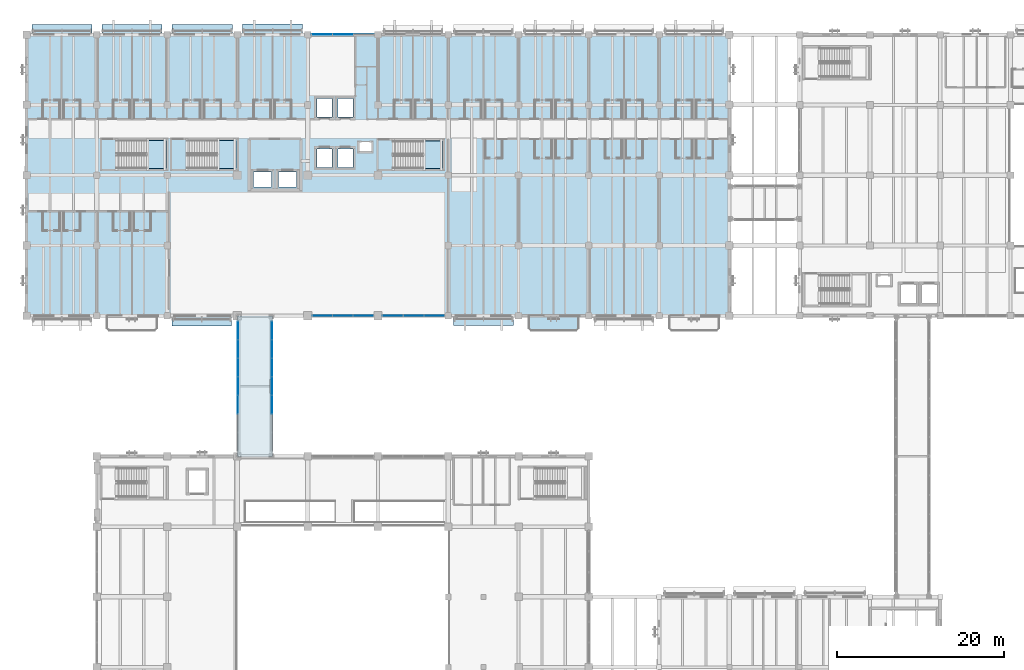
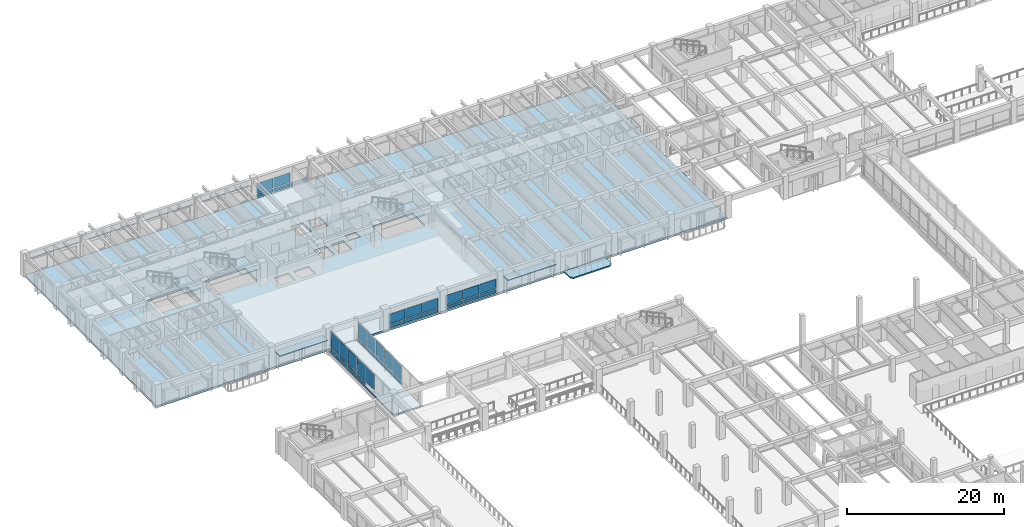
# One storey, part 54 of 118: 42 plates, 6 slabs, 14 elements without a shape of their own.
"""IFC4 building model written with IfcOpenShell, lengths in metres."""

from ifc_helpers import new_model, si_unit, direction, frame, origin, origin_2d, place, context, subcontext, project, spatial, polyline, rectangle, outline, extrude, material, layer, layer_set, type_object, element, aggregate, save


model = new_model("IFC4")

# Units and contexts
model_context = context("Model", 3, precision=1e-05, world=origin(), true_north=direction((0.0, 1.0)))
body_context = subcontext(model_context, "Body", "Model", "MODEL_VIEW")
ifc_project = project(units=[si_unit("LENGTHUNIT", "METRE"), si_unit("AREAUNIT", "SQUARE_METRE"), si_unit("VOLUMEUNIT", "CUBIC_METRE"), si_unit("PLANEANGLEUNIT", "RADIAN"), si_unit("MASSUNIT", "GRAM", prefix="KILO")], contexts=[model_context])

# Site, building, storey
site_placement = place(None, origin())
site = spatial("IfcSite", under=ifc_project, at=site_placement, CompositionType="ELEMENT")
building_placement = place(site_placement, origin())
building = spatial("IfcBuilding", under=site, at=building_placement, Name="Cumbredor Promenade Congress Hotel", CompositionType="ELEMENT")
storey_placement = place(building_placement, frame((0.0, 0.0, 3.919921875)))
storey = spatial("IfcBuildingStorey", under=building, at=storey_placement, Name="L01", CompositionType="ELEMENT", Elevation=3.919921875)

# Slab
ifc_material_1 = material(Name="Concrete C40/50", Category="concrete")
ifc_layer_1 = layer(ifc_material_1, 0.215087890625, Name="Concrete C40/50", Category="concrete")
ifc_layer_set_1 = layer_set([ifc_layer_1], Name="Concrete C40/50")
slab_type_1 = type_object("IfcSlabType", Name="Cantilevered Guestroom Balcony Slab 215mm", PredefinedType="FLOOR", material=ifc_layer_set_1)
slab_1_placement = place(storey_placement, frame((0.0, 0.0, -0.21484375)))
element("IfcSlab", 1, at=slab_1_placement, inside=storey, type_object=slab_type_1, Name="L01 Cantilevered Guestroom Veranda Balcony 002", PredefinedType="FLOOR", context=body_context, shape_type="SweptSolid", body=[
    extrude(outline(polyline([(60.300048828125, 82.14990234375), (65.699951171875, 82.14990234375), (66.050048828125, 82.5), (66.050048828125, 84.0), (59.949951171875, 84.0), (59.949951171875, 82.5), (60.300048828125, 82.14990234375)])), origin(), (0.0, 0.0, 1.0), 0.21484375),
])

# Stair, slab
stair_type_1 = type_object("IfcStairType", Name="Protected Dog-Leg Exit Stair ST-T2 1600mm", PredefinedType="HALF_TURN_STAIR", material=ifc_material_1)
stair_1_placement = place(storey_placement, origin())
stair_1 = element("IfcStair", 2, at=stair_1_placement, inside=storey, type_object=stair_type_1, Name="L01 Protected Exit Stair ST-01", PredefinedType="HALF_TURN_STAIR")
ifc_layer_2 = layer(ifc_material_1, 0.199951171875, Name="Concrete C40/50", Category="concrete")
ifc_layer_set_2 = layer_set([ifc_layer_2], Name="Concrete C40/50")
slab_type_2 = type_object("IfcSlabType", Name="Concrete Stair Landing Slab 200mm", PredefinedType="LANDING", material=ifc_layer_set_2)
slab_2_placement = place(storey_placement, frame((0.0, 0.0, 1.6201171875)))
slab_2 = element("IfcSlab", 3, at=slab_2_placement, type_object=slab_type_2, Name="ST-01 landing 1", PredefinedType="LANDING", context=body_context, shape_type="SweptSolid", body=[
    extrude(outline(polyline([(14.35009765625, 101.6201171875), (16.64990234375, 101.6201171875), (16.64990234375, 104.969970703125), (14.35009765625, 104.969970703125), (14.35009765625, 101.6201171875)])), origin(), (0.0, 0.0, 1.0), 0.199951171875),
])
aggregate(stair_1, [slab_2])

stair_2_placement = place(storey_placement, origin())
stair_2 = element("IfcStair", 4, at=stair_2_placement, inside=storey, type_object=stair_type_1, Name="L01 Protected Exit Stair ST-02", PredefinedType="HALF_TURN_STAIR")
slab_3_placement = place(storey_placement, frame((0.0, 0.0, 1.6201171875)))
slab_3 = element("IfcSlab", 5, at=slab_3_placement, type_object=slab_type_2, Name="ST-02 landing 1", PredefinedType="LANDING", context=body_context, shape_type="SweptSolid", body=[
    extrude(outline(polyline([(22.75, 101.6201171875), (25.050048828125, 101.6201171875), (25.050048828125, 104.969970703125), (22.75, 104.969970703125), (22.75, 101.6201171875)])), origin(), (0.0, 0.0, 1.0), 0.199951171875),
])
aggregate(stair_2, [slab_3])

stair_type_2 = type_object("IfcStairType", Name="Protected Dog-Leg Exit Stair ST-T1 1550mm", PredefinedType="HALF_TURN_STAIR", material=ifc_material_1)
stair_3_placement = place(storey_placement, origin())
stair_3 = element("IfcStair", 6, at=stair_3_placement, inside=storey, type_object=stair_type_2, Name="L01 Protected Exit Stair ST-03", PredefinedType="HALF_TURN_STAIR")
slab_4_placement = place(storey_placement, frame((0.0, 0.0, 1.6201171875)))
slab_4 = element("IfcSlab", 7, at=slab_4_placement, type_object=slab_type_2, Name="ST-03 landing 1", PredefinedType="LANDING", context=body_context, shape_type="SweptSolid", body=[
    extrude(outline(polyline([(47.39990234375, 101.6201171875), (49.699951171875, 101.6201171875), (49.699951171875, 104.8701171875), (47.39990234375, 104.8701171875), (47.39990234375, 101.6201171875)])), origin(), (0.0, 0.0, 1.0), 0.199951171875),
])
aggregate(stair_3, [slab_4])

# Curtain wall, plates
ifc_material_2 = material(Name="Thermally broken anodized aluminium and low-E glass", Category="aluminium")
curtain_wall_type_1 = type_object("IfcCurtainWallType", Name="Unitised Bridge Glazing Screen CW-05", PredefinedType="NOTDEFINED", material=ifc_material_2)
curtain_wall_1_placement = place(storey_placement, origin())
curtain_wall_1 = element("IfcCurtainWall", 8, at=curtain_wall_1_placement, inside=storey, type_object=curtain_wall_type_1, Name="L01 West Congress-to-Hotel Glazed Bridge West Glazing Screen", PredefinedType="NOTDEFINED")
ifc_material_3 = material(Name="Laminated low-E solar-control glass", Category="glass")
ifc_layer_3 = layer(ifc_material_3, 0.030029296875, Name="Laminated low-E solar-control glass", Category="glass")
ifc_layer_set_3 = layer_set([ifc_layer_3], Name="Laminated low-E solar-control glass")
plate_type_1 = type_object("IfcPlateType", Name="Glazed Bridge Panel PNL-04", PredefinedType="CURTAIN_PANEL", material=ifc_layer_set_3)
plate_1_placement = place(storey_placement, frame((25.280029296875, 73.388671875, 0.78515625), z_axis=(0.0, 0.0, 1.0), x_axis=(0.0, 1.0, 0.0)))
plate_1 = element("IfcPlate", 9, at=plate_1_placement, type_object=plate_type_1, Name="L01 West Congress-to-Hotel Glazed Bridge West Glazing Screen Glazing Panel 3.2", PredefinedType="CURTAIN_PANEL", context=body_context, shape_type="SweptSolid", body=[
    extrude(rectangle(XDim=2.146484375, YDim=0.030029296875, at=origin_2d()), origin(), (0.0, 0.0, 1.0), 2.340087890625),
])
plate_2_placement = place(storey_placement, frame((25.280029296875, 75.60009765625, 0.78515625), z_axis=(0.0, 0.0, 1.0), x_axis=(0.0, 1.0, 0.0)))
plate_2 = element("IfcPlate", 10, at=plate_2_placement, type_object=plate_type_1, Name="L01 West Congress-to-Hotel Glazed Bridge West Glazing Screen Glazing Panel 4.2", PredefinedType="CURTAIN_PANEL", context=body_context, shape_type="SweptSolid", body=[
    extrude(rectangle(XDim=2.146484375, YDim=0.030029296875, at=origin_2d()), origin(), (0.0, 0.0, 1.0), 2.340087890625),
])
plate_3_placement = place(storey_placement, frame((25.280029296875, 77.811279296875, 0.78515625), z_axis=(0.0, 0.0, 1.0), x_axis=(0.0, 1.0, 0.0)))
plate_3 = element("IfcPlate", 11, at=plate_3_placement, type_object=plate_type_1, Name="L01 West Congress-to-Hotel Glazed Bridge West Glazing Screen Glazing Panel 5.2", PredefinedType="CURTAIN_PANEL", context=body_context, shape_type="SweptSolid", body=[
    extrude(rectangle(XDim=2.146484375, YDim=0.030029296875, at=origin_2d()), origin(), (0.0, 0.0, 1.0), 2.340087890625),
])
plate_4_placement = place(storey_placement, frame((25.280029296875, 80.02294921875, 0.78515625), z_axis=(0.0, 0.0, 1.0), x_axis=(0.0, 1.0, 0.0)))
plate_4 = element("IfcPlate", 12, at=plate_4_placement, type_object=plate_type_1, Name="L01 West Congress-to-Hotel Glazed Bridge West Glazing Screen Glazing Panel 6.2", PredefinedType="CURTAIN_PANEL", context=body_context, shape_type="SweptSolid", body=[
    extrude(rectangle(XDim=2.146484375, YDim=0.030029296875, at=origin_2d()), origin(), (0.0, 0.0, 1.0), 2.340087890625),
])
plate_5_placement = place(storey_placement, frame((25.280029296875, 82.234375, 0.78515625), z_axis=(0.0, 0.0, 1.0), x_axis=(0.0, 1.0, 0.0)))
plate_5 = element("IfcPlate", 13, at=plate_5_placement, type_object=plate_type_1, Name="L01 West Congress-to-Hotel Glazed Bridge West Glazing Screen Glazing Panel 7.2", PredefinedType="CURTAIN_PANEL", context=body_context, shape_type="SweptSolid", body=[
    extrude(rectangle(XDim=2.146484375, YDim=0.030029296875, at=origin_2d()), origin(), (0.0, 0.0, 1.0), 2.340087890625),
])

curtain_wall_2_placement = place(storey_placement, origin())
curtain_wall_2 = element("IfcCurtainWall", 14, at=curtain_wall_2_placement, inside=storey, type_object=curtain_wall_type_1, Name="L01 West Congress-to-Hotel Glazed Bridge East Glazing Screen", PredefinedType="NOTDEFINED")
plate_6_placement = place(storey_placement, frame((29.320068359375, 73.388671875, 0.78515625), z_axis=(0.0, 0.0, 1.0), x_axis=(0.0, 1.0, 0.0)))
plate_6 = element("IfcPlate", 15, at=plate_6_placement, type_object=plate_type_1, Name="L01 West Congress-to-Hotel Glazed Bridge East Glazing Screen Glazing Panel 3.2", PredefinedType="CURTAIN_PANEL", context=body_context, shape_type="SweptSolid", body=[
    extrude(rectangle(XDim=2.146484375, YDim=0.030029296875, at=origin_2d()), origin(), (0.0, 0.0, 1.0), 2.340087890625),
])
plate_7_placement = place(storey_placement, frame((29.320068359375, 75.60009765625, 0.78515625), z_axis=(0.0, 0.0, 1.0), x_axis=(0.0, 1.0, 0.0)))
plate_7 = element("IfcPlate", 16, at=plate_7_placement, type_object=plate_type_1, Name="L01 West Congress-to-Hotel Glazed Bridge East Glazing Screen Glazing Panel 4.2", PredefinedType="CURTAIN_PANEL", context=body_context, shape_type="SweptSolid", body=[
    extrude(rectangle(XDim=2.146484375, YDim=0.030029296875, at=origin_2d()), origin(), (0.0, 0.0, 1.0), 2.340087890625),
])
plate_8_placement = place(storey_placement, frame((29.320068359375, 77.811279296875, 0.78515625), z_axis=(0.0, 0.0, 1.0), x_axis=(0.0, 1.0, 0.0)))
plate_8 = element("IfcPlate", 17, at=plate_8_placement, type_object=plate_type_1, Name="L01 West Congress-to-Hotel Glazed Bridge East Glazing Screen Glazing Panel 5.2", PredefinedType="CURTAIN_PANEL", context=body_context, shape_type="SweptSolid", body=[
    extrude(rectangle(XDim=2.146484375, YDim=0.030029296875, at=origin_2d()), origin(), (0.0, 0.0, 1.0), 2.340087890625),
])
plate_9_placement = place(storey_placement, frame((29.320068359375, 80.02294921875, 0.78515625), z_axis=(0.0, 0.0, 1.0), x_axis=(0.0, 1.0, 0.0)))
plate_9 = element("IfcPlate", 18, at=plate_9_placement, type_object=plate_type_1, Name="L01 West Congress-to-Hotel Glazed Bridge East Glazing Screen Glazing Panel 6.2", PredefinedType="CURTAIN_PANEL", context=body_context, shape_type="SweptSolid", body=[
    extrude(rectangle(XDim=2.146484375, YDim=0.030029296875, at=origin_2d()), origin(), (0.0, 0.0, 1.0), 2.340087890625),
])
plate_10_placement = place(storey_placement, frame((29.320068359375, 82.234375, 0.78515625), z_axis=(0.0, 0.0, 1.0), x_axis=(0.0, 1.0, 0.0)))
plate_10 = element("IfcPlate", 19, at=plate_10_placement, type_object=plate_type_1, Name="L01 West Congress-to-Hotel Glazed Bridge East Glazing Screen Glazing Panel 7.2", PredefinedType="CURTAIN_PANEL", context=body_context, shape_type="SweptSolid", body=[
    extrude(rectangle(XDim=2.146484375, YDim=0.030029296875, at=origin_2d()), origin(), (0.0, 0.0, 1.0), 2.340087890625),
])

curtain_wall_type_2 = type_object("IfcCurtainWallType", Name="Unitised Bronze Curtain Wall CW-01", PredefinedType="NOTDEFINED", material=ifc_material_2)
curtain_wall_3_placement = place(storey_placement, origin())
curtain_wall_3 = element("IfcCurtainWall", 20, at=curtain_wall_3_placement, inside=storey, type_object=curtain_wall_type_2, Name="L01 Stepped Congress Hotel Wing North Curtain Wall 5", PredefinedType="NOTDEFINED")
ifc_layer_4 = layer(ifc_material_3, 0.028076171875, Name="Laminated low-E solar-control glass", Category="glass")
ifc_layer_set_4 = layer_set([ifc_layer_4], Name="Laminated low-E solar-control glass")
plate_type_2 = type_object("IfcPlateType", Name="Glazed Vision Panel PNL-01", PredefinedType="CURTAIN_PANEL", material=ifc_layer_set_4)
plate_11_placement = place(storey_placement, frame((35.30322265625, 117.60009765625, 0.78515625), z_axis=(0.0, 0.0, 1.0), x_axis=(1.0, 0.0, 0.0)))
plate_11 = element("IfcPlate", 21, at=plate_11_placement, type_object=plate_type_2, Name="L01 Stepped Congress Hotel Wing North Curtain Wall 5 Glazing Panel 1.2", PredefinedType="CURTAIN_PANEL", context=body_context, shape_type="SweptSolid", body=[
    extrude(rectangle(XDim=2.431640625, YDim=0.028076171875, at=origin_2d()), origin(), (0.0, 0.0, 1.0), 1.530029296875),
])
plate_12_placement = place(storey_placement, frame((37.800048828125, 117.60009765625, 0.78515625), z_axis=(0.0, 0.0, 1.0), x_axis=(1.0, 0.0, 0.0)))
plate_12 = element("IfcPlate", 22, at=plate_12_placement, type_object=plate_type_2, Name="L01 Stepped Congress Hotel Wing North Curtain Wall 5 Glazing Panel 2.2", PredefinedType="CURTAIN_PANEL", context=body_context, shape_type="SweptSolid", body=[
    extrude(rectangle(XDim=2.431640625, YDim=0.028076171875, at=origin_2d()), origin(), (0.0, 0.0, 1.0), 1.530029296875),
])

curtain_wall_4_placement = place(storey_placement, origin())
curtain_wall_4 = element("IfcCurtainWall", 23, at=curtain_wall_4_placement, inside=storey, type_object=curtain_wall_type_2, Name="L01 Stepped Congress Hotel Wing South Curtain Wall 5", PredefinedType="NOTDEFINED")
ifc_layer_5 = layer(ifc_material_3, 0.031982421875, Name="Laminated low-E solar-control glass", Category="glass")
ifc_layer_set_5 = layer_set([ifc_layer_5], Name="Laminated low-E solar-control glass")
plate_type_3 = type_object("IfcPlateType", Name="Glazed Vision Panel PNL-02", PredefinedType="CURTAIN_PANEL", material=ifc_layer_set_5)
plate_13_placement = place(storey_placement, frame((35.3701171875, 84.0, 0.795166015625), z_axis=(0.0, 0.0, 1.0), x_axis=(1.0, 0.0, 0.0)))
plate_13 = element("IfcPlate", 24, at=plate_13_placement, type_object=plate_type_3, Name="L01 Stepped Congress Hotel Wing South Curtain Wall 5 Glazing Panel 1.2", PredefinedType="CURTAIN_PANEL", context=body_context, shape_type="SweptSolid", body=[
    extrude(rectangle(XDim=2.35498046875, YDim=0.031982421875, at=origin_2d()), origin(), (0.0, 0.0, 1.0), 1.5),
])
plate_14_placement = place(storey_placement, frame((37.800048828125, 84.0, 0.795166015625), z_axis=(0.0, 0.0, 1.0), x_axis=(1.0, 0.0, 0.0)))
plate_14 = element("IfcPlate", 25, at=plate_14_placement, type_object=plate_type_3, Name="L01 Stepped Congress Hotel Wing South Curtain Wall 5 Glazing Panel 2.2", PredefinedType="CURTAIN_PANEL", context=body_context, shape_type="SweptSolid", body=[
    extrude(rectangle(XDim=2.35498046875, YDim=0.031982421875, at=origin_2d()), origin(), (0.0, 0.0, 1.0), 1.5),
])
plate_15_placement = place(storey_placement, frame((40.22998046875, 84.0, 0.795166015625), z_axis=(0.0, 0.0, 1.0), x_axis=(1.0, 0.0, 0.0)))
plate_15 = element("IfcPlate", 26, at=plate_15_placement, type_object=plate_type_3, Name="L01 Stepped Congress Hotel Wing South Curtain Wall 5 Glazing Panel 3.2", PredefinedType="CURTAIN_PANEL", context=body_context, shape_type="SweptSolid", body=[
    extrude(rectangle(XDim=2.35498046875, YDim=0.031982421875, at=origin_2d()), origin(), (0.0, 0.0, 1.0), 1.5),
])

curtain_wall_5_placement = place(storey_placement, origin())
curtain_wall_5 = element("IfcCurtainWall", 27, at=curtain_wall_5_placement, inside=storey, type_object=curtain_wall_type_2, Name="L01 Stepped Congress Hotel Wing South Curtain Wall 6", PredefinedType="NOTDEFINED")
ifc_layer_6 = layer(ifc_material_3, 0.028076171875, Name="Laminated low-E solar-control glass", Category="glass")
ifc_layer_set_6 = layer_set([ifc_layer_6], Name="Laminated low-E solar-control glass")
plate_type_4 = type_object("IfcPlateType", Name="Glazed Vision Panel PNL-03", PredefinedType="CURTAIN_PANEL", material=ifc_layer_set_6)
plate_16_placement = place(storey_placement, frame((43.78662109375, 84.0, 0.81005859375), z_axis=(0.0, 0.0, 1.0), x_axis=(1.0, 0.0, 0.0)))
plate_16 = element("IfcPlate", 28, at=plate_16_placement, type_object=plate_type_4, Name="L01 Stepped Congress Hotel Wing South Curtain Wall 6 Glazing Panel 1.2", PredefinedType="CURTAIN_PANEL", context=body_context, shape_type="SweptSolid", body=[
    extrude(rectangle(XDim=2.38330078125, YDim=0.028076171875, at=origin_2d()), origin(), (0.0, 0.0, 1.0), 1.4599609375),
])
plate_17_placement = place(storey_placement, frame((46.25, 84.0, 0.81005859375), z_axis=(0.0, 0.0, 1.0), x_axis=(1.0, 0.0, 0.0)))
plate_17 = element("IfcPlate", 29, at=plate_17_placement, type_object=plate_type_4, Name="L01 Stepped Congress Hotel Wing South Curtain Wall 6 Glazing Panel 2.2", PredefinedType="CURTAIN_PANEL", context=body_context, shape_type="SweptSolid", body=[
    extrude(rectangle(XDim=2.38330078125, YDim=0.028076171875, at=origin_2d()), origin(), (0.0, 0.0, 1.0), 1.4599609375),
])
plate_18_placement = place(storey_placement, frame((48.71337890625, 84.0, 0.81005859375), z_axis=(0.0, 0.0, 1.0), x_axis=(1.0, 0.0, 0.0)))
plate_18 = element("IfcPlate", 30, at=plate_18_placement, type_object=plate_type_4, Name="L01 Stepped Congress Hotel Wing South Curtain Wall 6 Glazing Panel 3.2", PredefinedType="CURTAIN_PANEL", context=body_context, shape_type="SweptSolid", body=[
    extrude(rectangle(XDim=2.38330078125, YDim=0.028076171875, at=origin_2d()), origin(), (0.0, 0.0, 1.0), 1.4599609375),
])

# Curtain wall, plate
curtain_wall_type_3 = type_object("IfcCurtainWallType", Name="Solar Brise-Soleil Screen Assembly CW-07", PredefinedType="NOTDEFINED", material=ifc_material_2)
curtain_wall_6_placement = place(storey_placement, origin())
curtain_wall_6 = element("IfcCurtainWall", 31, at=curtain_wall_6_placement, inside=storey, type_object=curtain_wall_type_3, Name="L01 Hospitality Brise-Soleil Screen 018", PredefinedType="NOTDEFINED")
ifc_material_4 = material(Name="Precast concrete C40/50", Category="concrete")
ifc_layer_7 = layer(ifc_material_4, 0.14501953125, Name="Precast concrete C40/50", Category="concrete")
ifc_layer_set_7 = layer_set([ifc_layer_7], Name="Precast concrete C40/50")
plate_type_5 = type_object("IfcPlateType", Name="Horizontal Precast Sun-Hood Eyebrow Plate 145mm", PredefinedType="USERDEFINED", material=ifc_layer_set_7)
plate_19_placement = place(storey_placement, frame((20.949951171875, 83.419921875, 2.28515625), z_axis=(0.0, 0.0, 1.0), x_axis=(1.0, 0.0, 0.0)))
plate_19 = element("IfcPlate", 32, at=plate_19_placement, type_object=plate_type_5, Name="L01 Horizontal Sun-Hood Eyebrow 018", ObjectType="SUN HOOD", PredefinedType="USERDEFINED", context=body_context, shape_type="SweptSolid", body=[
    extrude(rectangle(XDim=7.097900390625, YDim=1.320068359375, at=origin_2d()), origin(), (0.0, 0.0, 1.0), 0.14501953125),
])
aggregate(curtain_wall_6, [plate_19])

curtain_wall_7_placement = place(storey_placement, origin())
curtain_wall_7 = element("IfcCurtainWall", 33, at=curtain_wall_7_placement, inside=storey, type_object=curtain_wall_type_3, Name="L01 Hospitality Brise-Soleil Screen 019", PredefinedType="NOTDEFINED")
plate_20_placement = place(storey_placement, frame((54.60009765625, 83.445068359375, 2.28515625), z_axis=(0.0, 0.0, 1.0), x_axis=(1.0, 0.0, 0.0)))
plate_20 = element("IfcPlate", 34, at=plate_20_placement, type_object=plate_type_5, Name="L01 Horizontal Sun-Hood Eyebrow 019", ObjectType="SUN HOOD", PredefinedType="USERDEFINED", context=body_context, shape_type="SweptSolid", body=[
    extrude(rectangle(XDim=7.197998046875, YDim=1.27001953125, at=origin_2d()), origin(), (0.0, 0.0, 1.0), 0.14501953125),
])
aggregate(curtain_wall_7, [plate_20])

curtain_wall_8_placement = place(storey_placement, origin())
curtain_wall_8 = element("IfcCurtainWall", 35, at=curtain_wall_8_placement, inside=storey, type_object=curtain_wall_type_3, Name="L01 Hospitality Brise-Soleil Screen 021", PredefinedType="NOTDEFINED")
plate_21_placement = place(storey_placement, frame((4.22509765625, 118.166259765625, 2.28515625), z_axis=(0.0, 0.0, 1.0), x_axis=(1.0, 0.0, 0.0)))
plate_21 = element("IfcPlate", 36, at=plate_21_placement, type_object=plate_type_5, Name="L01 Horizontal Sun-Hood Eyebrow 021", ObjectType="SUN HOOD", PredefinedType="USERDEFINED", context=body_context, shape_type="SweptSolid", body=[
    extrude(rectangle(XDim=7.14794921875, YDim=1.29248046875, at=origin_2d()), origin(), (0.0, 0.0, 1.0), 0.14501953125),
])
aggregate(curtain_wall_8, [plate_21])

curtain_wall_9_placement = place(storey_placement, origin())
curtain_wall_9 = element("IfcCurtainWall", 37, at=curtain_wall_9_placement, inside=storey, type_object=curtain_wall_type_3, Name="L01 Hospitality Brise-Soleil Screen 022", PredefinedType="NOTDEFINED")
plate_22_placement = place(storey_placement, frame((12.60009765625, 118.172607421875, 2.28515625), z_axis=(0.0, 0.0, 1.0), x_axis=(1.0, 0.0, 0.0)))
plate_22 = element("IfcPlate", 38, at=plate_22_placement, type_object=plate_type_5, Name="L01 Horizontal Sun-Hood Eyebrow 022", ObjectType="SUN HOOD", PredefinedType="USERDEFINED", context=body_context, shape_type="SweptSolid", body=[
    extrude(rectangle(XDim=7.197998046875, YDim=1.304931640625, at=origin_2d()), origin(), (0.0, 0.0, 1.0), 0.14501953125),
])
aggregate(curtain_wall_9, [plate_22])

curtain_wall_10_placement = place(storey_placement, origin())
curtain_wall_10 = element("IfcCurtainWall", 39, at=curtain_wall_10_placement, inside=storey, type_object=curtain_wall_type_3, Name="L01 Hospitality Brise-Soleil Screen 023", PredefinedType="NOTDEFINED")
plate_23_placement = place(storey_placement, frame((21.0, 118.179931640625, 2.28515625), z_axis=(0.0, 0.0, 1.0), x_axis=(1.0, 0.0, 0.0)))
plate_23 = element("IfcPlate", 40, at=plate_23_placement, type_object=plate_type_5, Name="L01 Horizontal Sun-Hood Eyebrow 023", ObjectType="SUN HOOD", PredefinedType="USERDEFINED", context=body_context, shape_type="SweptSolid", body=[
    extrude(rectangle(XDim=7.197998046875, YDim=1.320068359375, at=origin_2d()), origin(), (0.0, 0.0, 1.0), 0.14501953125),
])
aggregate(curtain_wall_10, [plate_23])

curtain_wall_11_placement = place(storey_placement, origin())
curtain_wall_11 = element("IfcCurtainWall", 41, at=curtain_wall_11_placement, inside=storey, type_object=curtain_wall_type_3, Name="L01 Hospitality Brise-Soleil Screen 024", PredefinedType="NOTDEFINED")
plate_24_placement = place(storey_placement, frame((29.39990234375, 118.191162109375, 2.28515625), z_axis=(0.0, 0.0, 1.0), x_axis=(1.0, 0.0, 0.0)))
plate_24 = element("IfcPlate", 42, at=plate_24_placement, type_object=plate_type_5, Name="L01 Horizontal Sun-Hood Eyebrow 024", ObjectType="SUN HOOD", PredefinedType="USERDEFINED", context=body_context, shape_type="SweptSolid", body=[
    extrude(rectangle(XDim=7.197998046875, YDim=1.342529296875, at=origin_2d()), origin(), (0.0, 0.0, 1.0), 0.14501953125),
])
aggregate(curtain_wall_11, [plate_24])

# Plate
ifc_material_5 = material(Name="Thermally broken anodized aluminium", Category="aluminium")
ifc_layer_8 = layer(ifc_material_5, 0.0400390625, Name="Thermally broken anodized aluminium", Category="aluminium")
ifc_layer_set_8 = layer_set([ifc_layer_8], Name="Thermally broken anodized aluminium")
plate_type_6 = type_object("IfcPlateType", Name="Insulated Spandrel Panel PNL-05", PredefinedType="CURTAIN_PANEL", material=ifc_layer_set_8)
plate_25_placement = place(storey_placement, frame((43.78662109375, 84.0, 0.18017578125), z_axis=(0.0, 0.0, 1.0), x_axis=(1.0, 0.0, 0.0)))
plate_25 = element("IfcPlate", 43, at=plate_25_placement, type_object=plate_type_6, Name="L01 Stepped Congress Hotel Wing South Curtain Wall 6 Spandrel Panel 1.1", PredefinedType="CURTAIN_PANEL", context=body_context, shape_type="SweptSolid", body=[
    extrude(rectangle(XDim=2.38330078125, YDim=0.0400390625, at=origin_2d()), origin(), (0.0, 0.0, 1.0), 0.449951171875),
])

plate_26_placement = place(storey_placement, frame((46.25, 84.0, 0.18017578125), z_axis=(0.0, 0.0, 1.0), x_axis=(1.0, 0.0, 0.0)))
plate_26 = element("IfcPlate", 44, at=plate_26_placement, type_object=plate_type_6, Name="L01 Stepped Congress Hotel Wing South Curtain Wall 6 Spandrel Panel 2.1", PredefinedType="CURTAIN_PANEL", context=body_context, shape_type="SweptSolid", body=[
    extrude(rectangle(XDim=2.38330078125, YDim=0.0400390625, at=origin_2d()), origin(), (0.0, 0.0, 1.0), 0.449951171875),
])

plate_27_placement = place(storey_placement, frame((48.71337890625, 84.0, 0.18017578125), z_axis=(0.0, 0.0, 1.0), x_axis=(1.0, 0.0, 0.0)))
plate_27 = element("IfcPlate", 45, at=plate_27_placement, type_object=plate_type_6, Name="L01 Stepped Congress Hotel Wing South Curtain Wall 6 Spandrel Panel 3.1", PredefinedType="CURTAIN_PANEL", context=body_context, shape_type="SweptSolid", body=[
    extrude(rectangle(XDim=2.38330078125, YDim=0.0400390625, at=origin_2d()), origin(), (0.0, 0.0, 1.0), 0.449951171875),
])

aggregate(curtain_wall_5, [plate_25, plate_16, plate_26, plate_17, plate_27, plate_18])

ifc_layer_9 = layer(ifc_material_5, 0.0400390625, Name="Thermally broken anodized aluminium", Category="aluminium")
ifc_layer_set_9 = layer_set([ifc_layer_9], Name="Thermally broken anodized aluminium")
plate_type_7 = type_object("IfcPlateType", Name="Insulated Spandrel Panel PNL-06", PredefinedType="CURTAIN_PANEL", material=ifc_layer_set_9)
plate_28_placement = place(storey_placement, frame((35.3701171875, 84.0, 0.1552734375), z_axis=(0.0, 0.0, 1.0), x_axis=(1.0, 0.0, 0.0)))
plate_28 = element("IfcPlate", 46, at=plate_28_placement, type_object=plate_type_7, Name="L01 Stepped Congress Hotel Wing South Curtain Wall 5 Spandrel Panel 1.1", PredefinedType="CURTAIN_PANEL", context=body_context, shape_type="SweptSolid", body=[
    extrude(rectangle(XDim=2.35498046875, YDim=0.0400390625, at=origin_2d()), origin(), (0.0, 0.0, 1.0), 0.489990234375),
])

plate_29_placement = place(storey_placement, frame((37.800048828125, 84.0, 0.1552734375), z_axis=(0.0, 0.0, 1.0), x_axis=(1.0, 0.0, 0.0)))
plate_29 = element("IfcPlate", 47, at=plate_29_placement, type_object=plate_type_7, Name="L01 Stepped Congress Hotel Wing South Curtain Wall 5 Spandrel Panel 2.1", PredefinedType="CURTAIN_PANEL", context=body_context, shape_type="SweptSolid", body=[
    extrude(rectangle(XDim=2.35498046875, YDim=0.0400390625, at=origin_2d()), origin(), (0.0, 0.0, 1.0), 0.489990234375),
])

plate_30_placement = place(storey_placement, frame((40.22998046875, 84.0, 0.1552734375), z_axis=(0.0, 0.0, 1.0), x_axis=(1.0, 0.0, 0.0)))
plate_30 = element("IfcPlate", 48, at=plate_30_placement, type_object=plate_type_7, Name="L01 Stepped Congress Hotel Wing South Curtain Wall 5 Spandrel Panel 3.1", PredefinedType="CURTAIN_PANEL", context=body_context, shape_type="SweptSolid", body=[
    extrude(rectangle(XDim=2.35498046875, YDim=0.0400390625, at=origin_2d()), origin(), (0.0, 0.0, 1.0), 0.489990234375),
])

aggregate(curtain_wall_4, [plate_28, plate_13, plate_29, plate_14, plate_30, plate_15])

plate_31_placement = place(storey_placement, frame((35.30322265625, 117.60009765625, 0.125), z_axis=(0.0, 0.0, 1.0), x_axis=(1.0, 0.0, 0.0)))
plate_31 = element("IfcPlate", 49, at=plate_31_placement, type_object=plate_type_7, Name="L01 Stepped Congress Hotel Wing North Curtain Wall 5 Spandrel Panel 1.1", PredefinedType="CURTAIN_PANEL", context=body_context, shape_type="SweptSolid", body=[
    extrude(rectangle(XDim=2.431640625, YDim=0.0400390625, at=origin_2d()), origin(), (0.0, 0.0, 1.0), 0.530029296875),
])

plate_32_placement = place(storey_placement, frame((37.800048828125, 117.60009765625, 0.125), z_axis=(0.0, 0.0, 1.0), x_axis=(1.0, 0.0, 0.0)))
plate_32 = element("IfcPlate", 50, at=plate_32_placement, type_object=plate_type_7, Name="L01 Stepped Congress Hotel Wing North Curtain Wall 5 Spandrel Panel 2.1", PredefinedType="CURTAIN_PANEL", context=body_context, shape_type="SweptSolid", body=[
    extrude(rectangle(XDim=2.431640625, YDim=0.0400390625, at=origin_2d()), origin(), (0.0, 0.0, 1.0), 0.530029296875),
])

plate_33_placement = place(storey_placement, frame((40.296630859375, 117.60009765625, 0.125), z_axis=(0.0, 0.0, 1.0), x_axis=(1.0, 0.0, 0.0)))
plate_33 = element("IfcPlate", 51, at=plate_33_placement, type_object=plate_type_7, Name="L01 Stepped Congress Hotel Wing North Curtain Wall 5 Spandrel Panel 3.1", PredefinedType="CURTAIN_PANEL", context=body_context, shape_type="SweptSolid", body=[
    extrude(rectangle(XDim=2.431640625, YDim=0.0400390625, at=origin_2d()), origin(), (0.0, 0.0, 1.0), 0.530029296875),
])

aggregate(curtain_wall_3, [plate_31, plate_11, plate_32, plate_12, plate_33])

plate_34_placement = place(storey_placement, frame((25.280029296875, 75.60009765625, 0.125), z_axis=(0.0, 0.0, 1.0), x_axis=(0.0, 1.0, 0.0)))
plate_34 = element("IfcPlate", 52, at=plate_34_placement, type_object=plate_type_7, Name="L01 West Congress-to-Hotel Glazed Bridge West Glazing Screen Spandrel Panel 4.1", PredefinedType="CURTAIN_PANEL", context=body_context, shape_type="SweptSolid", body=[
    extrude(rectangle(XDim=2.146484375, YDim=0.0400390625, at=origin_2d()), origin(), (0.0, 0.0, 1.0), 0.530029296875),
])

plate_35_placement = place(storey_placement, frame((25.280029296875, 77.811279296875, 0.125), z_axis=(0.0, 0.0, 1.0), x_axis=(0.0, 1.0, 0.0)))
plate_35 = element("IfcPlate", 53, at=plate_35_placement, type_object=plate_type_7, Name="L01 West Congress-to-Hotel Glazed Bridge West Glazing Screen Spandrel Panel 5.1", PredefinedType="CURTAIN_PANEL", context=body_context, shape_type="SweptSolid", body=[
    extrude(rectangle(XDim=2.146484375, YDim=0.0400390625, at=origin_2d()), origin(), (0.0, 0.0, 1.0), 0.530029296875),
])

plate_36_placement = place(storey_placement, frame((25.280029296875, 80.02294921875, 0.125), z_axis=(0.0, 0.0, 1.0), x_axis=(0.0, 1.0, 0.0)))
plate_36 = element("IfcPlate", 54, at=plate_36_placement, type_object=plate_type_7, Name="L01 West Congress-to-Hotel Glazed Bridge West Glazing Screen Spandrel Panel 6.1", PredefinedType="CURTAIN_PANEL", context=body_context, shape_type="SweptSolid", body=[
    extrude(rectangle(XDim=2.146484375, YDim=0.0400390625, at=origin_2d()), origin(), (0.0, 0.0, 1.0), 0.530029296875),
])

plate_37_placement = place(storey_placement, frame((25.280029296875, 82.234375, 0.125), z_axis=(0.0, 0.0, 1.0), x_axis=(0.0, 1.0, 0.0)))
plate_37 = element("IfcPlate", 55, at=plate_37_placement, type_object=plate_type_7, Name="L01 West Congress-to-Hotel Glazed Bridge West Glazing Screen Spandrel Panel 7.1", PredefinedType="CURTAIN_PANEL", context=body_context, shape_type="SweptSolid", body=[
    extrude(rectangle(XDim=2.146484375, YDim=0.0400390625, at=origin_2d()), origin(), (0.0, 0.0, 1.0), 0.530029296875),
])

aggregate(curtain_wall_1, [plate_1, plate_34, plate_2, plate_35, plate_3, plate_36, plate_4, plate_37, plate_5])

plate_38_placement = place(storey_placement, frame((29.320068359375, 73.388671875, 0.125), z_axis=(0.0, 0.0, 1.0), x_axis=(0.0, 1.0, 0.0)))
plate_38 = element("IfcPlate", 56, at=plate_38_placement, type_object=plate_type_7, Name="L01 West Congress-to-Hotel Glazed Bridge East Glazing Screen Spandrel Panel 3.1", PredefinedType="CURTAIN_PANEL", context=body_context, shape_type="SweptSolid", body=[
    extrude(rectangle(XDim=2.146484375, YDim=0.0400390625, at=origin_2d()), origin(), (0.0, 0.0, 1.0), 0.530029296875),
])

plate_39_placement = place(storey_placement, frame((29.320068359375, 75.60009765625, 0.125), z_axis=(0.0, 0.0, 1.0), x_axis=(0.0, 1.0, 0.0)))
plate_39 = element("IfcPlate", 57, at=plate_39_placement, type_object=plate_type_7, Name="L01 West Congress-to-Hotel Glazed Bridge East Glazing Screen Spandrel Panel 4.1", PredefinedType="CURTAIN_PANEL", context=body_context, shape_type="SweptSolid", body=[
    extrude(rectangle(XDim=2.146484375, YDim=0.0400390625, at=origin_2d()), origin(), (0.0, 0.0, 1.0), 0.530029296875),
])

plate_40_placement = place(storey_placement, frame((29.320068359375, 77.811279296875, 0.125), z_axis=(0.0, 0.0, 1.0), x_axis=(0.0, 1.0, 0.0)))
plate_40 = element("IfcPlate", 58, at=plate_40_placement, type_object=plate_type_7, Name="L01 West Congress-to-Hotel Glazed Bridge East Glazing Screen Spandrel Panel 5.1", PredefinedType="CURTAIN_PANEL", context=body_context, shape_type="SweptSolid", body=[
    extrude(rectangle(XDim=2.146484375, YDim=0.0400390625, at=origin_2d()), origin(), (0.0, 0.0, 1.0), 0.530029296875),
])

plate_41_placement = place(storey_placement, frame((29.320068359375, 80.02294921875, 0.125), z_axis=(0.0, 0.0, 1.0), x_axis=(0.0, 1.0, 0.0)))
plate_41 = element("IfcPlate", 59, at=plate_41_placement, type_object=plate_type_7, Name="L01 West Congress-to-Hotel Glazed Bridge East Glazing Screen Spandrel Panel 6.1", PredefinedType="CURTAIN_PANEL", context=body_context, shape_type="SweptSolid", body=[
    extrude(rectangle(XDim=2.146484375, YDim=0.0400390625, at=origin_2d()), origin(), (0.0, 0.0, 1.0), 0.530029296875),
])

plate_42_placement = place(storey_placement, frame((29.320068359375, 82.234375, 0.125), z_axis=(0.0, 0.0, 1.0), x_axis=(0.0, 1.0, 0.0)))
plate_42 = element("IfcPlate", 60, at=plate_42_placement, type_object=plate_type_7, Name="L01 West Congress-to-Hotel Glazed Bridge East Glazing Screen Spandrel Panel 7.1", PredefinedType="CURTAIN_PANEL", context=body_context, shape_type="SweptSolid", body=[
    extrude(rectangle(XDim=2.146484375, YDim=0.0400390625, at=origin_2d()), origin(), (0.0, 0.0, 1.0), 0.530029296875),
])

aggregate(curtain_wall_2, [plate_38, plate_6, plate_39, plate_7, plate_40, plate_8, plate_41, plate_9, plate_42, plate_10])

# Slabs
ifc_layer_10 = layer(ifc_material_1, 0.219970703125, Name="Concrete C40/50", Category="concrete")
ifc_layer_set_10 = layer_set([ifc_layer_10], Name="Concrete C40/50")
slab_type_3 = type_object("IfcSlabType", Name="Link Bridge Deck Slab 220mm", PredefinedType="FLOOR", material=ifc_layer_set_10)
slab_5_placement = place(storey_placement, frame((0.0, 0.0, -0.219970703125)))
element("IfcSlab", 61, at=slab_5_placement, inside=storey, type_object=slab_type_3, Name="L01 West Congress-to-Hotel Glazed Bridge Floor Deck", PredefinedType="FLOOR", context=body_context, shape_type="SweptSolid", body=[
    extrude(outline(polyline([(25.199951171875, 67.199951171875), (29.39990234375, 67.199951171875), (29.39990234375, 74.800048828125), (29.050048828125, 74.800048828125), (29.050048828125, 76.39990234375), (29.39990234375, 76.39990234375), (29.39990234375, 84.0), (25.199951171875, 84.0), (25.199951171875, 67.199951171875)])), origin(), (0.0, 0.0, 1.0), 0.219970703125),
])
ifc_layer_11 = layer(ifc_material_1, 0.280029296875, Name="Concrete C40/50", Category="concrete")
ifc_layer_set_11 = layer_set([ifc_layer_11], Name="Concrete C40/50")
slab_type_4 = type_object("IfcSlabType", Name="Podium Floor Slab 280mm", PredefinedType="FLOOR", material=ifc_layer_set_11)
slab_6_placement = place(storey_placement, frame((0.0, 0.0, -0.280029296875)))
element("IfcSlab", 62, at=slab_6_placement, inside=storey, type_object=slab_type_4, Name="L01 Stepped Congress Hotel Wing Floor Slab", PredefinedType="FLOOR", context=body_context, shape_type="SweptSolid", body=[
    extrude(outline(polyline([(0.0, 84.0), (84.0, 84.0), (84.0, 117.60009765625), (0.0, 117.60009765625), (0.0, 84.0)]), holes=[polyline([(10.75, 101.6201171875), (16.64990234375, 101.6201171875), (16.64990234375, 104.969970703125), (10.75, 104.969970703125), (10.75, 101.6201171875)]), polyline([(19.14990234375, 101.6201171875), (25.050048828125, 101.6201171875), (25.050048828125, 104.969970703125), (19.14990234375, 104.969970703125), (19.14990234375, 101.6201171875)]), polyline([(43.800048828125, 101.6201171875), (49.699951171875, 101.6201171875), (49.699951171875, 104.8701171875), (43.800048828125, 104.8701171875), (43.800048828125, 101.6201171875)]), polyline([(27.1298828125, 99.39990234375), (29.300048828125, 99.39990234375), (29.300048828125, 101.199951171875), (27.1298828125, 101.199951171875), (27.1298828125, 99.39990234375)]), polyline([(30.10009765625, 99.39990234375), (32.27001953125, 99.39990234375), (32.27001953125, 101.199951171875), (30.10009765625, 101.199951171875), (30.10009765625, 99.39990234375)]), polyline([(34.699951171875, 107.75), (36.5, 107.75), (36.5, 109.949951171875), (34.699951171875, 109.949951171875), (34.699951171875, 107.75)]), polyline([(37.199951171875, 107.75), (39.0, 107.75), (39.0, 109.949951171875), (37.199951171875, 109.949951171875), (37.199951171875, 107.75)]), polyline([(34.699951171875, 101.75), (36.5, 101.75), (36.5, 103.949951171875), (34.699951171875, 103.949951171875), (34.699951171875, 101.75)]), polyline([(37.199951171875, 101.75), (39.0, 101.75), (39.0, 103.949951171875), (37.199951171875, 103.949951171875), (37.199951171875, 101.75)]), polyline([(39.699951171875, 103.60009765625), (41.300048828125, 103.60009765625), (41.300048828125, 104.800048828125), (39.699951171875, 104.800048828125), (39.699951171875, 103.60009765625)])]), origin(), (0.0, 0.0, 1.0), 0.280029296875),
])

save(model, "model.ifc")
